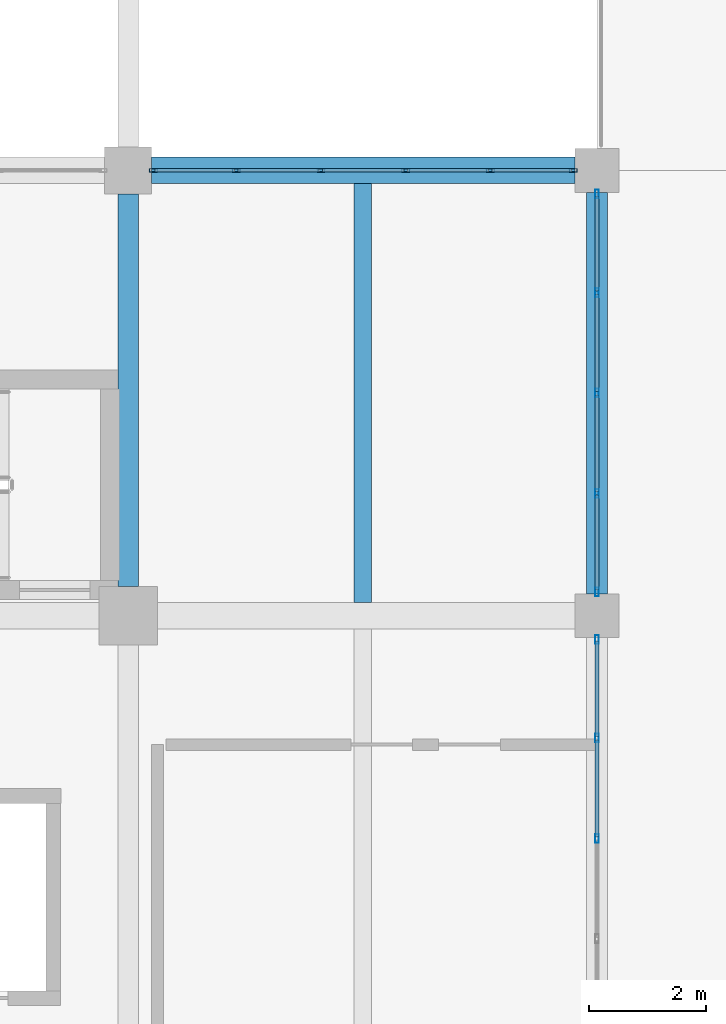
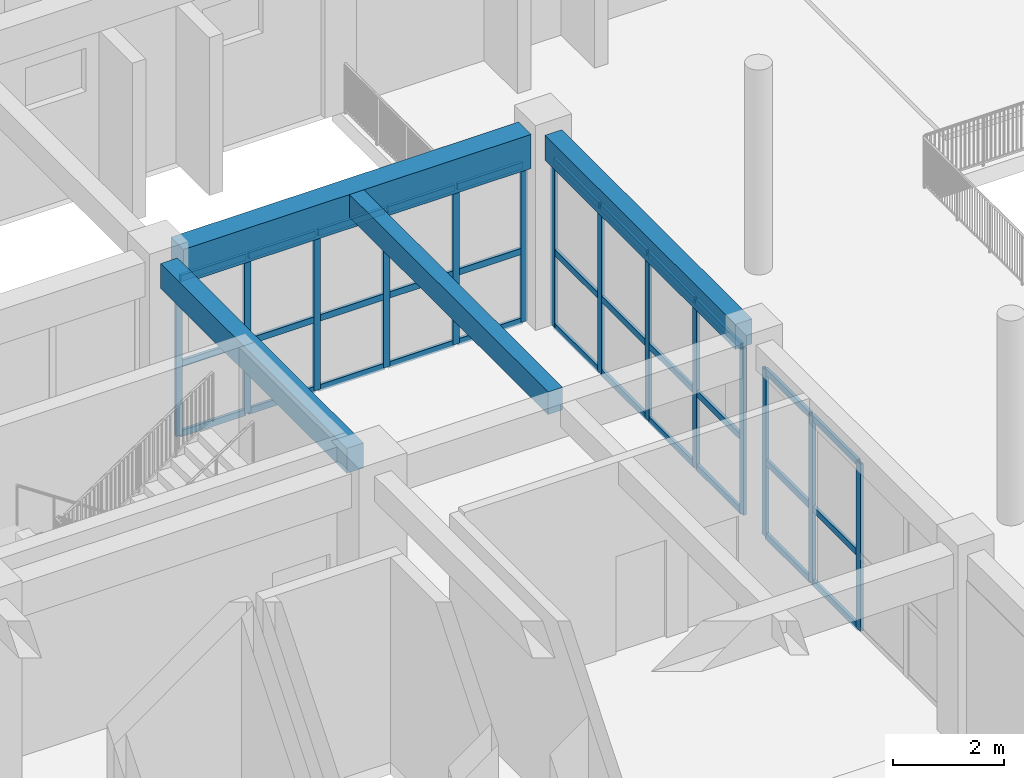
# One storey, part 38 of 79: 47 members, 4 beams, 3 elements without a shape of their own.
"""IFC4 building model written with IfcOpenShell, lengths in metres."""

from ifc_helpers import new_model, si_unit, direction, frame, origin, origin_2d, place, context, subcontext, project, spatial, rectangle, hollow_rectangle, extrude, material, material_profile, profile_set, type_object, element, aggregate, save


model = new_model("IFC4")

# Units and contexts
model_context = context("Model", 3, precision=1e-05, world=origin(), true_north=direction((0.0, 1.0)))
body_context = subcontext(model_context, "Body", "Model", "MODEL_VIEW")
ifc_project = project(units=[si_unit("LENGTHUNIT", "METRE"), si_unit("AREAUNIT", "SQUARE_METRE"), si_unit("VOLUMEUNIT", "CUBIC_METRE"), si_unit("PLANEANGLEUNIT", "RADIAN"), si_unit("MASSUNIT", "GRAM", prefix="KILO")], contexts=[model_context])

# Site, building, storey
site_placement = place(None, origin())
site = spatial("IfcSite", under=ifc_project, at=site_placement, CompositionType="ELEMENT")
building_placement = place(site_placement, origin())
building = spatial("IfcBuilding", under=site, at=building_placement, Name="Zantavel Square City Hall", CompositionType="ELEMENT")
storey_placement = place(building_placement, frame((0.0, 0.0, 10.199951171875)))
storey = spatial("IfcBuildingStorey", under=building, at=storey_placement, Name="L03", CompositionType="ELEMENT", Elevation=10.199951171875)

# Curtain wall, members
ifc_material_1 = material(Name="Anodised aluminium 6063-T6", Category="aluminium")
curtain_wall_type_1 = type_object("IfcCurtainWallType", Name="Curtain Wall TRV1 7225x3470", PredefinedType="USERDEFINED", material=ifc_material_1)
curtain_wall_1_placement = place(storey_placement, origin())
curtain_wall_1 = element("IfcCurtainWall", 1, at=curtain_wall_1_placement, inside=storey, type_object=curtain_wall_type_1, Name="L03 Glazed Curtain Wall CW-L03-089", ObjectType="GLAZED CURTAIN WALL", PredefinedType="USERDEFINED")
ifc_material_profile_1 = material_profile(ifc_material_1, hollow_rectangle(XDim=0.06005859375, YDim=0.135009765625, WallThickness=0.00390625, at=origin_2d()), Name="ALU 60x135x4")
ifc_profile_set_1 = profile_set([ifc_material_profile_1], Name="Anodised aluminium 6063-T6")
member_type_1 = type_object("IfcMemberType", Name="CW Mullion ALU 60x135x4", PredefinedType="MULLION", material=ifc_profile_set_1)
member_1_placement = place(storey_placement, frame((104.429931640625, 68.39990234375, 0.0), z_axis=(0.0, 0.0, 1.0), x_axis=(0.0, 1.0, 0.0)))
member_1 = element("IfcMember", 2, at=member_1_placement, type_object=member_type_1, Name="CW-089 mullion 1", PredefinedType="MULLION", context=body_context, shape_type="SweptSolid", body=[
    extrude(hollow_rectangle(XDim=0.06005859375, YDim=0.135009765625, WallThickness=0.00390625, at=origin_2d()), origin(), (0.0, 0.0, 1.0), 3.469970703125),
])
member_2_placement = place(storey_placement, frame((105.844970703125, 68.39990234375, 0.0), z_axis=(0.0, 0.0, 1.0), x_axis=(0.0, 1.0, 0.0)))
member_2 = element("IfcMember", 3, at=member_2_placement, type_object=member_type_1, Name="CW-089 mullion 2", PredefinedType="MULLION", context=body_context, shape_type="SweptSolid", body=[
    extrude(hollow_rectangle(XDim=0.06005859375, YDim=0.135009765625, WallThickness=0.00390625, at=origin_2d()), origin(), (0.0, 0.0, 1.0), 3.469970703125),
])
member_3_placement = place(storey_placement, frame((107.2900390625, 68.39990234375, 0.0), z_axis=(0.0, 0.0, 1.0), x_axis=(0.0, 1.0, 0.0)))
member_3 = element("IfcMember", 4, at=member_3_placement, type_object=member_type_1, Name="CW-089 mullion 3", PredefinedType="MULLION", context=body_context, shape_type="SweptSolid", body=[
    extrude(hollow_rectangle(XDim=0.06005859375, YDim=0.135009765625, WallThickness=0.00390625, at=origin_2d()), origin(), (0.0, 0.0, 1.0), 3.469970703125),
])
member_4_placement = place(storey_placement, frame((108.735107421875, 68.39990234375, 0.0), z_axis=(0.0, 0.0, 1.0), x_axis=(0.0, 1.0, 0.0)))
member_4 = element("IfcMember", 5, at=member_4_placement, type_object=member_type_1, Name="CW-089 mullion 4", PredefinedType="MULLION", context=body_context, shape_type="SweptSolid", body=[
    extrude(hollow_rectangle(XDim=0.06005859375, YDim=0.135009765625, WallThickness=0.00390625, at=origin_2d()), origin(), (0.0, 0.0, 1.0), 3.469970703125),
])
member_5_placement = place(storey_placement, frame((110.179931640625, 68.39990234375, 0.0), z_axis=(0.0, 0.0, 1.0), x_axis=(0.0, 1.0, 0.0)))
member_5 = element("IfcMember", 6, at=member_5_placement, type_object=member_type_1, Name="CW-089 mullion 5", PredefinedType="MULLION", context=body_context, shape_type="SweptSolid", body=[
    extrude(hollow_rectangle(XDim=0.06005859375, YDim=0.135009765625, WallThickness=0.00390625, at=origin_2d()), origin(), (0.0, 0.0, 1.0), 3.469970703125),
])
member_6_placement = place(storey_placement, frame((111.594970703125, 68.39990234375, 0.0), z_axis=(0.0, 0.0, 1.0), x_axis=(0.0, 1.0, 0.0)))
member_6 = element("IfcMember", 7, at=member_6_placement, type_object=member_type_1, Name="CW-089 mullion 6", PredefinedType="MULLION", context=body_context, shape_type="SweptSolid", body=[
    extrude(hollow_rectangle(XDim=0.06005859375, YDim=0.135009765625, WallThickness=0.00390625, at=origin_2d()), origin(), (0.0, 0.0, 1.0), 3.469970703125),
])

curtain_wall_type_2 = type_object("IfcCurtainWallType", Name="Curtain Wall TRV1 6850x3670", PredefinedType="USERDEFINED", material=ifc_material_1)
curtain_wall_2_placement = place(storey_placement, origin())
curtain_wall_2 = element("IfcCurtainWall", 8, at=curtain_wall_2_placement, inside=storey, type_object=curtain_wall_type_2, Name="L03 Glazed Curtain Wall CW-L03-090", ObjectType="GLAZED CURTAIN WALL", PredefinedType="USERDEFINED")
ifc_material_profile_2 = material_profile(ifc_material_1, hollow_rectangle(XDim=0.06494140625, YDim=0.14990234375, WallThickness=0.00390625, at=origin_2d()), Name="ALU 65x150x4")
ifc_profile_set_2 = profile_set([ifc_material_profile_2], Name="Anodised aluminium 6063-T6")
member_type_2 = type_object("IfcMemberType", Name="CW Mullion ALU 65x150x4", PredefinedType="MULLION", material=ifc_profile_set_2)
member_7_placement = place(storey_placement, frame((112.0, 67.9951171875, 0.0), z_axis=(0.0, 0.0, 1.0), x_axis=(1.0, 0.0, 0.0)))
member_7 = element("IfcMember", 9, at=member_7_placement, type_object=member_type_2, Name="CW-090 mullion 1", PredefinedType="MULLION", context=body_context, shape_type="SweptSolid", body=[
    extrude(hollow_rectangle(XDim=0.06494140625, YDim=0.14990234375, WallThickness=0.00390625, at=origin_2d()), origin(), (0.0, 0.0, 1.0), 3.670166015625),
])
member_8_placement = place(storey_placement, frame((112.0, 66.3125, 0.0), z_axis=(0.0, 0.0, 1.0), x_axis=(1.0, 0.0, 0.0)))
member_8 = element("IfcMember", 10, at=member_8_placement, type_object=member_type_2, Name="CW-090 mullion 2", PredefinedType="MULLION", context=body_context, shape_type="SweptSolid", body=[
    extrude(hollow_rectangle(XDim=0.06494140625, YDim=0.14990234375, WallThickness=0.00390625, at=origin_2d()), origin(), (0.0, 0.0, 1.0), 3.670166015625),
])
member_9_placement = place(storey_placement, frame((112.0, 64.60009765625, 0.0), z_axis=(0.0, 0.0, 1.0), x_axis=(1.0, 0.0, 0.0)))
member_9 = element("IfcMember", 11, at=member_9_placement, type_object=member_type_2, Name="CW-090 mullion 3", PredefinedType="MULLION", context=body_context, shape_type="SweptSolid", body=[
    extrude(hollow_rectangle(XDim=0.06494140625, YDim=0.14990234375, WallThickness=0.00390625, at=origin_2d()), origin(), (0.0, 0.0, 1.0), 3.670166015625),
])
member_10_placement = place(storey_placement, frame((112.0, 62.887451171875, 0.0), z_axis=(0.0, 0.0, 1.0), x_axis=(1.0, 0.0, 0.0)))
member_10 = element("IfcMember", 12, at=member_10_placement, type_object=member_type_2, Name="CW-090 mullion 4", PredefinedType="MULLION", context=body_context, shape_type="SweptSolid", body=[
    extrude(hollow_rectangle(XDim=0.06494140625, YDim=0.14990234375, WallThickness=0.00390625, at=origin_2d()), origin(), (0.0, 0.0, 1.0), 3.670166015625),
])
member_11_placement = place(storey_placement, frame((112.0, 61.205078125, 0.0), z_axis=(0.0, 0.0, 1.0), x_axis=(1.0, 0.0, 0.0)))
member_11 = element("IfcMember", 13, at=member_11_placement, type_object=member_type_2, Name="CW-090 mullion 5", PredefinedType="MULLION", context=body_context, shape_type="SweptSolid", body=[
    extrude(hollow_rectangle(XDim=0.06494140625, YDim=0.14990234375, WallThickness=0.00390625, at=origin_2d()), origin(), (0.0, 0.0, 1.0), 3.670166015625),
])

curtain_wall_3_placement = place(storey_placement, origin())
curtain_wall_3 = element("IfcCurtainWall", 14, at=curtain_wall_3_placement, inside=storey, type_object=curtain_wall_type_2, Name="L03 Glazed Curtain Wall CW-L03-091", ObjectType="GLAZED CURTAIN WALL", PredefinedType="USERDEFINED")
member_12_placement = place(storey_placement, frame((112.0, 60.39501953125, 0.0), z_axis=(0.0, 0.0, 1.0), x_axis=(1.0, 0.0, 0.0)))
member_12 = element("IfcMember", 15, at=member_12_placement, type_object=member_type_2, Name="CW-091 mullion 1", PredefinedType="MULLION", context=body_context, shape_type="SweptSolid", body=[
    extrude(hollow_rectangle(XDim=0.06494140625, YDim=0.14990234375, WallThickness=0.00390625, at=origin_2d()), origin(), (0.0, 0.0, 1.0), 3.670166015625),
])
member_13_placement = place(storey_placement, frame((112.0, 58.71240234375, 0.0), z_axis=(0.0, 0.0, 1.0), x_axis=(1.0, 0.0, 0.0)))
member_13 = element("IfcMember", 16, at=member_13_placement, type_object=member_type_2, Name="CW-091 mullion 2", PredefinedType="MULLION", context=body_context, shape_type="SweptSolid", body=[
    extrude(hollow_rectangle(XDim=0.06494140625, YDim=0.14990234375, WallThickness=0.00390625, at=origin_2d()), origin(), (0.0, 0.0, 1.0), 3.670166015625),
])
member_14_placement = place(storey_placement, frame((112.0, 57.0, 0.0), z_axis=(0.0, 0.0, 1.0), x_axis=(1.0, 0.0, 0.0)))
member_14 = element("IfcMember", 17, at=member_14_placement, type_object=member_type_2, Name="CW-091 mullion 3", PredefinedType="MULLION", context=body_context, shape_type="SweptSolid", body=[
    extrude(hollow_rectangle(XDim=0.06494140625, YDim=0.14990234375, WallThickness=0.00390625, at=origin_2d()), origin(), (0.0, 0.0, 1.0), 3.670166015625),
])

# Member
ifc_material_profile_3 = material_profile(ifc_material_1, hollow_rectangle(XDim=0.06005859375, YDim=0.139892578125, WallThickness=0.00390625, at=origin_2d()), Name="ALU 60x140x4")
ifc_profile_set_3 = profile_set([ifc_material_profile_3], Name="Anodised aluminium 6063-T6")
member_type_3 = type_object("IfcMemberType", Name="CW Transom ALU 60x140x4", PredefinedType="USERDEFINED", material=ifc_profile_set_3)
member_15_placement = place(storey_placement, frame((104.4599609375, 68.39990234375, 0.030029296875), z_axis=(1.0, 0.0, 0.0), x_axis=(0.0, 1.0, 0.0)))
member_15 = element("IfcMember", 18, at=member_15_placement, type_object=member_type_3, Name="CW-089 transom 1.1", ObjectType="TRANSOM", PredefinedType="USERDEFINED", context=body_context, shape_type="SweptSolid", body=[
    extrude(hollow_rectangle(XDim=0.06005859375, YDim=0.139892578125, WallThickness=0.00390625, at=origin_2d()), origin(), (0.0, 0.0, 1.0), 1.35498046875),
])

member_16_placement = place(storey_placement, frame((104.4599609375, 68.39990234375, 1.56201171875), z_axis=(1.0, 0.0, 0.0), x_axis=(0.0, 1.0, 0.0)))
member_16 = element("IfcMember", 19, at=member_16_placement, type_object=member_type_3, Name="CW-089 transom 1.2", ObjectType="TRANSOM", PredefinedType="USERDEFINED", context=body_context, shape_type="SweptSolid", body=[
    extrude(hollow_rectangle(XDim=0.06005859375, YDim=0.139892578125, WallThickness=0.00390625, at=origin_2d()), origin(), (0.0, 0.0, 1.0), 1.35498046875),
])

member_17_placement = place(storey_placement, frame((104.4599609375, 68.39990234375, 3.43994140625), z_axis=(1.0, 0.0, 0.0), x_axis=(0.0, 1.0, 0.0)))
member_17 = element("IfcMember", 20, at=member_17_placement, type_object=member_type_3, Name="CW-089 transom 1.3", ObjectType="TRANSOM", PredefinedType="USERDEFINED", context=body_context, shape_type="SweptSolid", body=[
    extrude(hollow_rectangle(XDim=0.06005859375, YDim=0.139892578125, WallThickness=0.00390625, at=origin_2d()), origin(), (0.0, 0.0, 1.0), 1.35498046875),
])

member_18_placement = place(storey_placement, frame((105.875, 68.39990234375, 0.030029296875), z_axis=(1.0, 0.0, 0.0), x_axis=(0.0, 1.0, 0.0)))
member_18 = element("IfcMember", 21, at=member_18_placement, type_object=member_type_3, Name="CW-089 transom 2.1", ObjectType="TRANSOM", PredefinedType="USERDEFINED", context=body_context, shape_type="SweptSolid", body=[
    extrude(hollow_rectangle(XDim=0.06005859375, YDim=0.139892578125, WallThickness=0.00390625, at=origin_2d()), origin(), (0.0, 0.0, 1.0), 1.385009765625),
])

member_19_placement = place(storey_placement, frame((105.875, 68.39990234375, 1.56201171875), z_axis=(1.0, 0.0, 0.0), x_axis=(0.0, 1.0, 0.0)))
member_19 = element("IfcMember", 22, at=member_19_placement, type_object=member_type_3, Name="CW-089 transom 2.2", ObjectType="TRANSOM", PredefinedType="USERDEFINED", context=body_context, shape_type="SweptSolid", body=[
    extrude(hollow_rectangle(XDim=0.06005859375, YDim=0.139892578125, WallThickness=0.00390625, at=origin_2d()), origin(), (0.0, 0.0, 1.0), 1.385009765625),
])

member_20_placement = place(storey_placement, frame((105.875, 68.39990234375, 3.43994140625), z_axis=(1.0, 0.0, 0.0), x_axis=(0.0, 1.0, 0.0)))
member_20 = element("IfcMember", 23, at=member_20_placement, type_object=member_type_3, Name="CW-089 transom 2.3", ObjectType="TRANSOM", PredefinedType="USERDEFINED", context=body_context, shape_type="SweptSolid", body=[
    extrude(hollow_rectangle(XDim=0.06005859375, YDim=0.139892578125, WallThickness=0.00390625, at=origin_2d()), origin(), (0.0, 0.0, 1.0), 1.385009765625),
])

member_21_placement = place(storey_placement, frame((107.320068359375, 68.39990234375, 0.030029296875), z_axis=(1.0, 0.0, 0.0), x_axis=(0.0, 1.0, 0.0)))
member_21 = element("IfcMember", 24, at=member_21_placement, type_object=member_type_3, Name="CW-089 transom 3.1", ObjectType="TRANSOM", PredefinedType="USERDEFINED", context=body_context, shape_type="SweptSolid", body=[
    extrude(hollow_rectangle(XDim=0.06005859375, YDim=0.139892578125, WallThickness=0.00390625, at=origin_2d()), origin(), (0.0, 0.0, 1.0), 1.385009765625),
])

member_22_placement = place(storey_placement, frame((107.320068359375, 68.39990234375, 1.56201171875), z_axis=(1.0, 0.0, 0.0), x_axis=(0.0, 1.0, 0.0)))
member_22 = element("IfcMember", 25, at=member_22_placement, type_object=member_type_3, Name="CW-089 transom 3.2", ObjectType="TRANSOM", PredefinedType="USERDEFINED", context=body_context, shape_type="SweptSolid", body=[
    extrude(hollow_rectangle(XDim=0.06005859375, YDim=0.139892578125, WallThickness=0.00390625, at=origin_2d()), origin(), (0.0, 0.0, 1.0), 1.385009765625),
])

member_23_placement = place(storey_placement, frame((107.320068359375, 68.39990234375, 3.43994140625), z_axis=(1.0, 0.0, 0.0), x_axis=(0.0, 1.0, 0.0)))
member_23 = element("IfcMember", 26, at=member_23_placement, type_object=member_type_3, Name="CW-089 transom 3.3", ObjectType="TRANSOM", PredefinedType="USERDEFINED", context=body_context, shape_type="SweptSolid", body=[
    extrude(hollow_rectangle(XDim=0.06005859375, YDim=0.139892578125, WallThickness=0.00390625, at=origin_2d()), origin(), (0.0, 0.0, 1.0), 1.385009765625),
])

member_24_placement = place(storey_placement, frame((108.764892578125, 68.39990234375, 0.030029296875), z_axis=(1.0, 0.0, 0.0), x_axis=(0.0, 1.0, 0.0)))
member_24 = element("IfcMember", 27, at=member_24_placement, type_object=member_type_3, Name="CW-089 transom 4.1", ObjectType="TRANSOM", PredefinedType="USERDEFINED", context=body_context, shape_type="SweptSolid", body=[
    extrude(hollow_rectangle(XDim=0.06005859375, YDim=0.139892578125, WallThickness=0.00390625, at=origin_2d()), origin(), (0.0, 0.0, 1.0), 1.385009765625),
])

member_25_placement = place(storey_placement, frame((108.764892578125, 68.39990234375, 1.56201171875), z_axis=(1.0, 0.0, 0.0), x_axis=(0.0, 1.0, 0.0)))
member_25 = element("IfcMember", 28, at=member_25_placement, type_object=member_type_3, Name="CW-089 transom 4.2", ObjectType="TRANSOM", PredefinedType="USERDEFINED", context=body_context, shape_type="SweptSolid", body=[
    extrude(hollow_rectangle(XDim=0.06005859375, YDim=0.139892578125, WallThickness=0.00390625, at=origin_2d()), origin(), (0.0, 0.0, 1.0), 1.385009765625),
])

member_26_placement = place(storey_placement, frame((108.764892578125, 68.39990234375, 3.43994140625), z_axis=(1.0, 0.0, 0.0), x_axis=(0.0, 1.0, 0.0)))
member_26 = element("IfcMember", 29, at=member_26_placement, type_object=member_type_3, Name="CW-089 transom 4.3", ObjectType="TRANSOM", PredefinedType="USERDEFINED", context=body_context, shape_type="SweptSolid", body=[
    extrude(hollow_rectangle(XDim=0.06005859375, YDim=0.139892578125, WallThickness=0.00390625, at=origin_2d()), origin(), (0.0, 0.0, 1.0), 1.385009765625),
])

member_27_placement = place(storey_placement, frame((110.2099609375, 68.39990234375, 0.030029296875), z_axis=(1.0, 0.0, 0.0), x_axis=(0.0, 1.0, 0.0)))
member_27 = element("IfcMember", 30, at=member_27_placement, type_object=member_type_3, Name="CW-089 transom 5.1", ObjectType="TRANSOM", PredefinedType="USERDEFINED", context=body_context, shape_type="SweptSolid", body=[
    extrude(hollow_rectangle(XDim=0.06005859375, YDim=0.139892578125, WallThickness=0.00390625, at=origin_2d()), origin(), (0.0, 0.0, 1.0), 1.35498046875),
])

member_28_placement = place(storey_placement, frame((110.2099609375, 68.39990234375, 1.56201171875), z_axis=(1.0, 0.0, 0.0), x_axis=(0.0, 1.0, 0.0)))
member_28 = element("IfcMember", 31, at=member_28_placement, type_object=member_type_3, Name="CW-089 transom 5.2", ObjectType="TRANSOM", PredefinedType="USERDEFINED", context=body_context, shape_type="SweptSolid", body=[
    extrude(hollow_rectangle(XDim=0.06005859375, YDim=0.139892578125, WallThickness=0.00390625, at=origin_2d()), origin(), (0.0, 0.0, 1.0), 1.35498046875),
])

member_29_placement = place(storey_placement, frame((110.2099609375, 68.39990234375, 3.43994140625), z_axis=(1.0, 0.0, 0.0), x_axis=(0.0, 1.0, 0.0)))
member_29 = element("IfcMember", 32, at=member_29_placement, type_object=member_type_3, Name="CW-089 transom 5.3", ObjectType="TRANSOM", PredefinedType="USERDEFINED", context=body_context, shape_type="SweptSolid", body=[
    extrude(hollow_rectangle(XDim=0.06005859375, YDim=0.139892578125, WallThickness=0.00390625, at=origin_2d()), origin(), (0.0, 0.0, 1.0), 1.35498046875),
])

aggregate(curtain_wall_1, [member_1, member_2, member_3, member_4, member_5, member_6, member_15, member_16, member_17, member_18, member_19, member_20, member_21, member_22, member_23, member_24, member_25, member_26, member_27, member_28, member_29])

member_30_placement = place(storey_placement, frame((112.0, 67.965087890625, 0.030029296875), z_axis=(0.0, -1.0, 0.0), x_axis=(1.0, 0.0, 0.0)))
member_30 = element("IfcMember", 33, at=member_30_placement, type_object=member_type_3, Name="CW-090 transom 1.1", ObjectType="TRANSOM", PredefinedType="USERDEFINED", context=body_context, shape_type="SweptSolid", body=[
    extrude(hollow_rectangle(XDim=0.06005859375, YDim=0.139892578125, WallThickness=0.00390625, at=origin_2d()), origin(), (0.0, 0.0, 1.0), 1.62255859375),
])

member_31_placement = place(storey_placement, frame((112.0, 67.965087890625, 1.651123046875), z_axis=(0.0, -1.0, 0.0), x_axis=(1.0, 0.0, 0.0)))
member_31 = element("IfcMember", 34, at=member_31_placement, type_object=member_type_3, Name="CW-090 transom 1.2", ObjectType="TRANSOM", PredefinedType="USERDEFINED", context=body_context, shape_type="SweptSolid", body=[
    extrude(hollow_rectangle(XDim=0.06005859375, YDim=0.139892578125, WallThickness=0.00390625, at=origin_2d()), origin(), (0.0, 0.0, 1.0), 1.62255859375),
])

member_32_placement = place(storey_placement, frame((112.0, 67.965087890625, 3.64013671875), z_axis=(0.0, -1.0, 0.0), x_axis=(1.0, 0.0, 0.0)))
member_32 = element("IfcMember", 35, at=member_32_placement, type_object=member_type_3, Name="CW-090 transom 1.3", ObjectType="TRANSOM", PredefinedType="USERDEFINED", context=body_context, shape_type="SweptSolid", body=[
    extrude(hollow_rectangle(XDim=0.06005859375, YDim=0.139892578125, WallThickness=0.00390625, at=origin_2d()), origin(), (0.0, 0.0, 1.0), 1.62255859375),
])

member_33_placement = place(storey_placement, frame((112.0, 66.282470703125, 0.030029296875), z_axis=(0.0, -1.0, 0.0), x_axis=(1.0, 0.0, 0.0)))
member_33 = element("IfcMember", 36, at=member_33_placement, type_object=member_type_3, Name="CW-090 transom 2.1", ObjectType="TRANSOM", PredefinedType="USERDEFINED", context=body_context, shape_type="SweptSolid", body=[
    extrude(hollow_rectangle(XDim=0.06005859375, YDim=0.139892578125, WallThickness=0.00390625, at=origin_2d()), origin(), (0.0, 0.0, 1.0), 1.652587890625),
])

member_34_placement = place(storey_placement, frame((112.0, 66.282470703125, 1.651123046875), z_axis=(0.0, -1.0, 0.0), x_axis=(1.0, 0.0, 0.0)))
member_34 = element("IfcMember", 37, at=member_34_placement, type_object=member_type_3, Name="CW-090 transom 2.2", ObjectType="TRANSOM", PredefinedType="USERDEFINED", context=body_context, shape_type="SweptSolid", body=[
    extrude(hollow_rectangle(XDim=0.06005859375, YDim=0.139892578125, WallThickness=0.00390625, at=origin_2d()), origin(), (0.0, 0.0, 1.0), 1.652587890625),
])

member_35_placement = place(storey_placement, frame((112.0, 66.282470703125, 3.64013671875), z_axis=(0.0, -1.0, 0.0), x_axis=(1.0, 0.0, 0.0)))
member_35 = element("IfcMember", 38, at=member_35_placement, type_object=member_type_3, Name="CW-090 transom 2.3", ObjectType="TRANSOM", PredefinedType="USERDEFINED", context=body_context, shape_type="SweptSolid", body=[
    extrude(hollow_rectangle(XDim=0.06005859375, YDim=0.139892578125, WallThickness=0.00390625, at=origin_2d()), origin(), (0.0, 0.0, 1.0), 1.652587890625),
])

member_36_placement = place(storey_placement, frame((112.0, 64.570068359375, 0.030029296875), z_axis=(0.0, -1.0, 0.0), x_axis=(1.0, 0.0, 0.0)))
member_36 = element("IfcMember", 39, at=member_36_placement, type_object=member_type_3, Name="CW-090 transom 3.1", ObjectType="TRANSOM", PredefinedType="USERDEFINED", context=body_context, shape_type="SweptSolid", body=[
    extrude(hollow_rectangle(XDim=0.06005859375, YDim=0.139892578125, WallThickness=0.00390625, at=origin_2d()), origin(), (0.0, 0.0, 1.0), 1.652587890625),
])

member_37_placement = place(storey_placement, frame((112.0, 64.570068359375, 1.651123046875), z_axis=(0.0, -1.0, 0.0), x_axis=(1.0, 0.0, 0.0)))
member_37 = element("IfcMember", 40, at=member_37_placement, type_object=member_type_3, Name="CW-090 transom 3.2", ObjectType="TRANSOM", PredefinedType="USERDEFINED", context=body_context, shape_type="SweptSolid", body=[
    extrude(hollow_rectangle(XDim=0.06005859375, YDim=0.139892578125, WallThickness=0.00390625, at=origin_2d()), origin(), (0.0, 0.0, 1.0), 1.652587890625),
])

member_38_placement = place(storey_placement, frame((112.0, 64.570068359375, 3.64013671875), z_axis=(0.0, -1.0, 0.0), x_axis=(1.0, 0.0, 0.0)))
member_38 = element("IfcMember", 41, at=member_38_placement, type_object=member_type_3, Name="CW-090 transom 3.3", ObjectType="TRANSOM", PredefinedType="USERDEFINED", context=body_context, shape_type="SweptSolid", body=[
    extrude(hollow_rectangle(XDim=0.06005859375, YDim=0.139892578125, WallThickness=0.00390625, at=origin_2d()), origin(), (0.0, 0.0, 1.0), 1.652587890625),
])

member_39_placement = place(storey_placement, frame((112.0, 62.857421875, 0.030029296875), z_axis=(0.0, -1.0, 0.0), x_axis=(1.0, 0.0, 0.0)))
member_39 = element("IfcMember", 42, at=member_39_placement, type_object=member_type_3, Name="CW-090 transom 4.1", ObjectType="TRANSOM", PredefinedType="USERDEFINED", context=body_context, shape_type="SweptSolid", body=[
    extrude(hollow_rectangle(XDim=0.06005859375, YDim=0.139892578125, WallThickness=0.00390625, at=origin_2d()), origin(), (0.0, 0.0, 1.0), 1.622314453125),
])

member_40_placement = place(storey_placement, frame((112.0, 62.857421875, 1.651123046875), z_axis=(0.0, -1.0, 0.0), x_axis=(1.0, 0.0, 0.0)))
member_40 = element("IfcMember", 43, at=member_40_placement, type_object=member_type_3, Name="CW-090 transom 4.2", ObjectType="TRANSOM", PredefinedType="USERDEFINED", context=body_context, shape_type="SweptSolid", body=[
    extrude(hollow_rectangle(XDim=0.06005859375, YDim=0.139892578125, WallThickness=0.00390625, at=origin_2d()), origin(), (0.0, 0.0, 1.0), 1.622314453125),
])

member_41_placement = place(storey_placement, frame((112.0, 62.857421875, 3.64013671875), z_axis=(0.0, -1.0, 0.0), x_axis=(1.0, 0.0, 0.0)))
member_41 = element("IfcMember", 44, at=member_41_placement, type_object=member_type_3, Name="CW-090 transom 4.3", ObjectType="TRANSOM", PredefinedType="USERDEFINED", context=body_context, shape_type="SweptSolid", body=[
    extrude(hollow_rectangle(XDim=0.06005859375, YDim=0.139892578125, WallThickness=0.00390625, at=origin_2d()), origin(), (0.0, 0.0, 1.0), 1.622314453125),
])

aggregate(curtain_wall_2, [member_7, member_8, member_9, member_10, member_11, member_30, member_31, member_32, member_33, member_34, member_35, member_36, member_37, member_38, member_39, member_40, member_41])

member_42_placement = place(storey_placement, frame((112.0, 60.364990234375, 0.030029296875), z_axis=(0.0, -1.0, 0.0), x_axis=(1.0, 0.0, 0.0)))
member_42 = element("IfcMember", 45, at=member_42_placement, type_object=member_type_3, Name="CW-091 transom 1.1", ObjectType="TRANSOM", PredefinedType="USERDEFINED", context=body_context, shape_type="SweptSolid", body=[
    extrude(hollow_rectangle(XDim=0.06005859375, YDim=0.139892578125, WallThickness=0.00390625, at=origin_2d()), origin(), (0.0, 0.0, 1.0), 1.62255859375),
])

member_43_placement = place(storey_placement, frame((112.0, 60.364990234375, 1.651123046875), z_axis=(0.0, -1.0, 0.0), x_axis=(1.0, 0.0, 0.0)))
member_43 = element("IfcMember", 46, at=member_43_placement, type_object=member_type_3, Name="CW-091 transom 1.2", ObjectType="TRANSOM", PredefinedType="USERDEFINED", context=body_context, shape_type="SweptSolid", body=[
    extrude(hollow_rectangle(XDim=0.06005859375, YDim=0.139892578125, WallThickness=0.00390625, at=origin_2d()), origin(), (0.0, 0.0, 1.0), 1.62255859375),
])

member_44_placement = place(storey_placement, frame((112.0, 60.364990234375, 3.64013671875), z_axis=(0.0, -1.0, 0.0), x_axis=(1.0, 0.0, 0.0)))
member_44 = element("IfcMember", 47, at=member_44_placement, type_object=member_type_3, Name="CW-091 transom 1.3", ObjectType="TRANSOM", PredefinedType="USERDEFINED", context=body_context, shape_type="SweptSolid", body=[
    extrude(hollow_rectangle(XDim=0.06005859375, YDim=0.139892578125, WallThickness=0.00390625, at=origin_2d()), origin(), (0.0, 0.0, 1.0), 1.62255859375),
])

member_45_placement = place(storey_placement, frame((112.0, 58.6826171875, 0.030029296875), z_axis=(0.0, -1.0, 0.0), x_axis=(1.0, 0.0, 0.0)))
member_45 = element("IfcMember", 48, at=member_45_placement, type_object=member_type_3, Name="CW-091 transom 2.1", ObjectType="TRANSOM", PredefinedType="USERDEFINED", context=body_context, shape_type="SweptSolid", body=[
    extrude(hollow_rectangle(XDim=0.06005859375, YDim=0.139892578125, WallThickness=0.00390625, at=origin_2d()), origin(), (0.0, 0.0, 1.0), 1.652587890625),
])

member_46_placement = place(storey_placement, frame((112.0, 58.6826171875, 1.651123046875), z_axis=(0.0, -1.0, 0.0), x_axis=(1.0, 0.0, 0.0)))
member_46 = element("IfcMember", 49, at=member_46_placement, type_object=member_type_3, Name="CW-091 transom 2.2", ObjectType="TRANSOM", PredefinedType="USERDEFINED", context=body_context, shape_type="SweptSolid", body=[
    extrude(hollow_rectangle(XDim=0.06005859375, YDim=0.139892578125, WallThickness=0.00390625, at=origin_2d()), origin(), (0.0, 0.0, 1.0), 1.652587890625),
])

member_47_placement = place(storey_placement, frame((112.0, 58.6826171875, 3.64013671875), z_axis=(0.0, -1.0, 0.0), x_axis=(1.0, 0.0, 0.0)))
member_47 = element("IfcMember", 50, at=member_47_placement, type_object=member_type_3, Name="CW-091 transom 2.3", ObjectType="TRANSOM", PredefinedType="USERDEFINED", context=body_context, shape_type="SweptSolid", body=[
    extrude(hollow_rectangle(XDim=0.06005859375, YDim=0.139892578125, WallThickness=0.00390625, at=origin_2d()), origin(), (0.0, 0.0, 1.0), 1.652587890625),
])

aggregate(curtain_wall_3, [member_12, member_13, member_14, member_42, member_43, member_44, member_45, member_46, member_47])

# Beams
ifc_material_2 = material(Name="Concrete C35/45", Category="concrete")
ifc_material_profile_4 = material_profile(ifc_material_2, rectangle(XDim=0.300048828125, YDim=0.5, at=origin_2d()), Name="RC 300x500")
ifc_profile_set_4 = profile_set([ifc_material_profile_4], Name="Concrete C35/45")
beam_type_1 = type_object("IfcBeamType", Name="Floor Joist RC 300x500 C35/45", PredefinedType="JOIST", material=ifc_profile_set_4)
beam_1_placement = place(storey_placement, frame((108.0, 61.02490234375, 3.969970703125), z_axis=(0.0, 1.0, 0.0), x_axis=(-1.0, 0.0, 0.0)))
element("IfcBeam", 51, at=beam_1_placement, inside=storey, type_object=beam_type_1, Name="L03 Floor Joist JST-L03-1080-0608", PredefinedType="JOIST", context=body_context, shape_type="SweptSolid", body=[
    extrude(rectangle(XDim=0.300048828125, YDim=0.5, at=origin_2d()), origin(), (0.0, 0.0, 1.0), 7.150146484375),
])
ifc_material_profile_5 = material_profile(ifc_material_2, rectangle(XDim=0.449951171875, YDim=0.75, at=origin_2d()), Name="RC 450x750")
ifc_profile_set_5 = profile_set([ifc_material_profile_5], Name="Concrete C35/45")
beam_type_2 = type_object("IfcBeamType", Name="Primary Girder RC 450x750 C35/45", PredefinedType="BEAM", material=ifc_profile_set_5)
beam_2_placement = place(storey_placement, frame((104.39990234375, 68.39990234375, 3.844970703125), z_axis=(1.0, 0.0, 0.0), x_axis=(0.0, 1.0, 0.0)))
element("IfcBeam", 52, at=beam_2_placement, inside=storey, type_object=beam_type_2, Name="L03 Girder BMX-L03-1040-0684", PredefinedType="BEAM", context=body_context, shape_type="SweptSolid", body=[
    extrude(rectangle(XDim=0.449951171875, YDim=0.75, at=origin_2d()), origin(), (0.0, 0.0, 1.0), 7.22509765625),
])
ifc_material_profile_6 = material_profile(ifc_material_2, rectangle(XDim=0.35009765625, YDim=0.550048828125, at=origin_2d()), Name="RC 350x550")
ifc_profile_set_6 = profile_set([ifc_material_profile_6], Name="Concrete C35/45")
beam_type_3 = type_object("IfcBeamType", Name="Secondary Beam RC 350x550 C35/45", PredefinedType="BEAM", material=ifc_profile_set_6)
beam_3_placement = place(storey_placement, frame((104.0, 61.300048828125, 3.945068359375), z_axis=(0.0, 1.0, 0.0), x_axis=(-1.0, 0.0, 0.0)))
element("IfcBeam", 53, at=beam_3_placement, inside=storey, type_object=beam_type_3, Name="L03 Beam BMY-L03-1040-0608", PredefinedType="BEAM", context=body_context, shape_type="SweptSolid", body=[
    extrude(rectangle(XDim=0.35009765625, YDim=0.550048828125, at=origin_2d()), origin(), (0.0, 0.0, 1.0), 6.699951171875),
])
beam_4_placement = place(storey_placement, frame((112.0, 61.175048828125, 3.945068359375), z_axis=(0.0, 1.0, 0.0), x_axis=(-1.0, 0.0, 0.0)))
element("IfcBeam", 54, at=beam_4_placement, inside=storey, type_object=beam_type_3, Name="L03 Beam BMY-L03-1120-0608", PredefinedType="BEAM", context=body_context, shape_type="SweptSolid", body=[
    extrude(rectangle(XDim=0.35009765625, YDim=0.550048828125, at=origin_2d()), origin(), (0.0, 0.0, 1.0), 6.849853515625),
])

save(model, "model.ifc")
